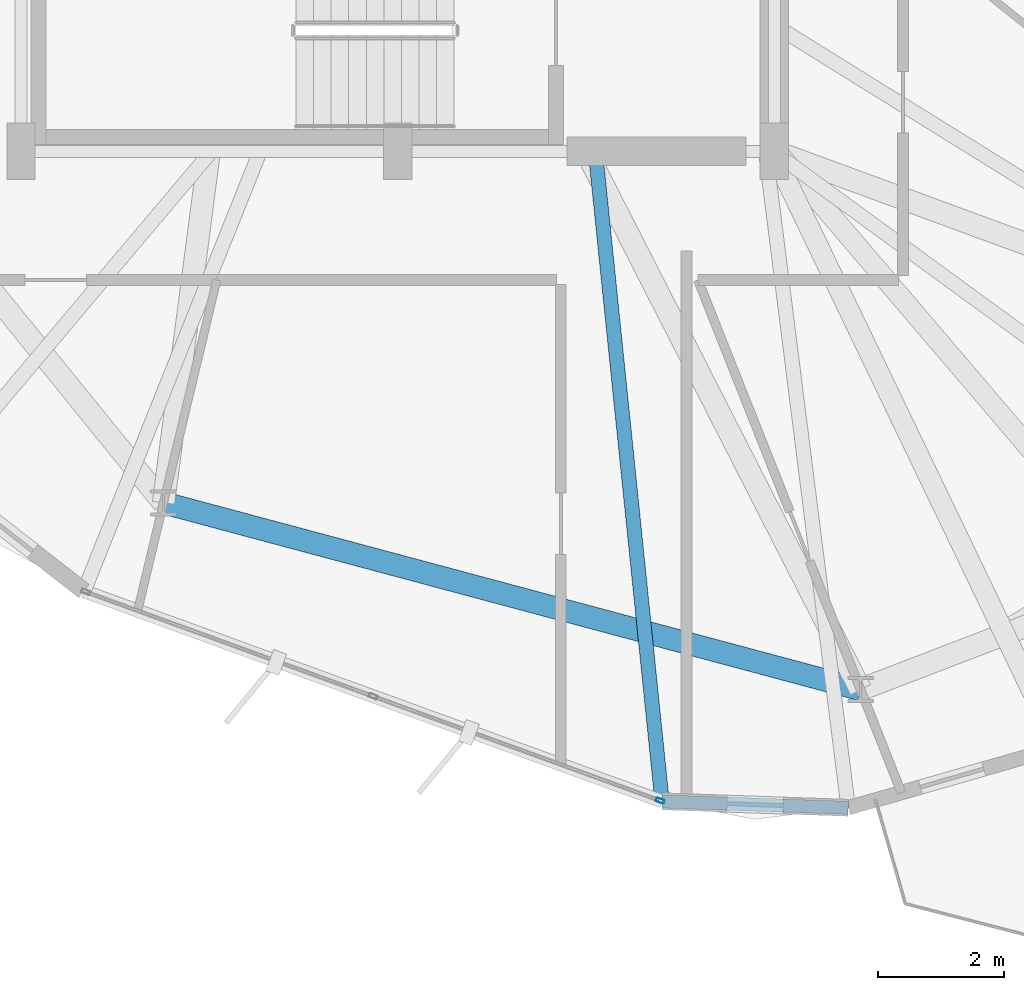
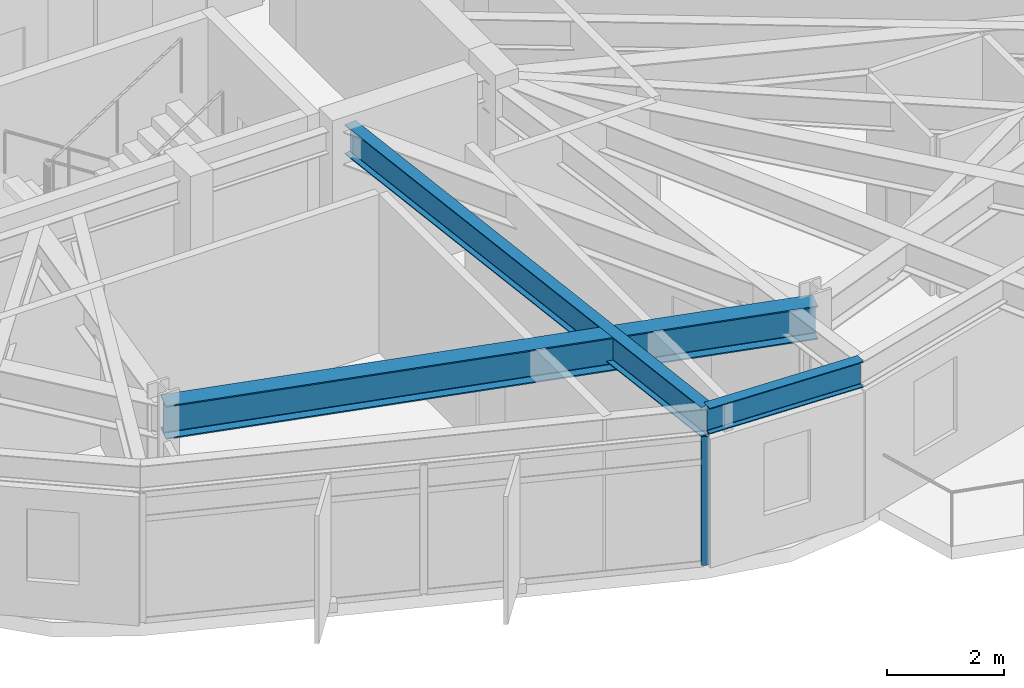
# One storey, part 5 of 30: 3 beams, 1 member, 1 element without a shape of its own.
"""IFC4 building model written with IfcOpenShell, lengths in metres."""

from ifc_helpers import new_model, si_unit, direction, frame, origin, origin_2d, place, context, subcontext, project, spatial, hollow_rectangle, i_section, extrude, material, layer, layer_set, material_profile, profile_set, type_object, element, aggregate, save


model = new_model("IFC4")

# Units and contexts
model_context = context("Model", 3, precision=1e-05, world=origin(), true_north=direction((0.0, 1.0)))
body_context = subcontext(model_context, "Body", "Model", "MODEL_VIEW")
ifc_project = project(units=[si_unit("LENGTHUNIT", "METRE"), si_unit("AREAUNIT", "SQUARE_METRE"), si_unit("VOLUMEUNIT", "CUBIC_METRE"), si_unit("PLANEANGLEUNIT", "RADIAN"), si_unit("MASSUNIT", "GRAM", prefix="KILO")], contexts=[model_context])

# Site, building, storey
site_placement = place(None, origin())
site = spatial("IfcSite", under=ifc_project, at=site_placement, CompositionType="ELEMENT")
building_placement = place(site_placement, origin())
building = spatial("IfcBuilding", under=site, at=building_placement, Name="Soratama Intermodal Tower", CompositionType="ELEMENT")
storey_placement = place(building_placement, frame((0.0, 0.0, 223.0)))
storey = spatial("IfcBuildingStorey", under=building, at=storey_placement, Name="L56", CompositionType="ELEMENT", Elevation=223.0)

# Beams
ifc_material_1 = material(Name="Structural steel ASTM A992 Grade 50", Category="steel")
ifc_material_profile_1 = material_profile(ifc_material_1, i_section(OverallWidth=0.35498046875, OverallDepth=0.695068359375, WebThickness=0.015380859375, FlangeThickness=0.02490234375, FilletRadius=0.01611328125, at=origin_2d()), Name="W27X146")
ifc_profile_set_1 = profile_set([ifc_material_profile_1], Name="Structural steel ASTM A992 Grade 50")
beam_type_1 = type_object("IfcBeamType", Name="BM-RING-W27X146", PredefinedType="BEAM", material=ifc_profile_set_1)
beam_1_placement = place(storey_placement, frame((34.8701171875, 9.40087890625, 2.952392578125), z_axis=(0.965928616227, -0.258808632687, 0.0), x_axis=(0.258808632687, 0.965928616227, 0.0)))
element("IfcBeam", 1, at=beam_1_placement, inside=storey, type_object=beam_type_1, Name="BM-L56-RING-07", PredefinedType="BEAM", context=body_context, shape_type="SweptSolid", body=[
    extrude(i_section(OverallWidth=0.35498046875, OverallDepth=0.695068359375, WebThickness=0.015380859375, FlangeThickness=0.02490234375, FilletRadius=0.01611328125, at=origin_2d()), origin(), (0.0, 0.0, 1.0), 11.494384765625),
])
ifc_material_2 = material(Name="Structural steel ASTM A992 Grade 50", Category="steel")
ifc_material_profile_2 = material_profile(ifc_material_2, i_section(OverallWidth=0.2099609375, OverallDepth=0.537109375, WebThickness=0.010986328125, FlangeThickness=0.017333984375, FilletRadius=0.012939453125, at=origin_2d()), Name="W21X68")
ifc_profile_set_2 = profile_set([ifc_material_profile_2], Name="Structural steel ASTM A992 Grade 50")
beam_type_2 = type_object("IfcBeamType", Name="BM-SPN-W21X68", PredefinedType="SPANDREL", material=ifc_profile_set_2)
beam_2_placement = place(storey_placement, frame((42.81201171875, 4.64501953125, 3.031494140625), z_axis=(0.999408245046, -0.034397089043, 0.0), x_axis=(0.034397089043, 0.999408245046, 0.0)))
element("IfcBeam", 2, at=beam_2_placement, inside=storey, type_object=beam_type_2, Name="BS-L56-CRN06", PredefinedType="SPANDREL", context=body_context, shape_type="SweptSolid", body=[
    extrude(i_section(OverallWidth=0.2099609375, OverallDepth=0.537109375, WebThickness=0.010986328125, FlangeThickness=0.017333984375, FilletRadius=0.012939453125, at=origin_2d()), origin(), (0.0, 0.0, 1.0), 2.966796875),
])
ifc_material_3 = material(Name="Structural steel ASTM A992 Grade 50", Category="steel")
ifc_material_profile_3 = material_profile(ifc_material_3, i_section(OverallWidth=0.22900390625, OverallDepth=0.612060546875, WebThickness=0.011962890625, FlangeThickness=0.01953125, FilletRadius=0.012939453125, at=origin_2d()), Name="W24X84")
ifc_profile_set_3 = profile_set([ifc_material_profile_3], Name="Structural steel ASTM A992 Grade 50")
beam_type_3 = type_object("IfcBeamType", Name="BM-TIE-W24X84", PredefinedType="BEAM", material=ifc_profile_set_3)
beam_3_placement = place(storey_placement, frame((41.7529296875, 14.9599609375, 2.993896484375), z_axis=(0.102137597099, -0.994770280647, 0.0), x_axis=(0.994770280647, 0.102137597099, 0.0)))
element("IfcBeam", 3, at=beam_3_placement, inside=storey, type_object=beam_type_3, Name="BM-L56-TIE1-06", PredefinedType="BEAM", context=body_context, shape_type="SweptSolid", body=[
    extrude(i_section(OverallWidth=0.22900390625, OverallDepth=0.612060546875, WebThickness=0.011962890625, FlangeThickness=0.01953125, FilletRadius=0.012939453125, at=origin_2d()), origin(), (0.0, 0.0, 1.0), 10.369140625),
])

# Curtain wall, member
ifc_material_4 = material(Name="Double-glazed aluminium curtain wall", Category="aluminium")
ifc_layer = layer(ifc_material_4, 0.159912109375)
ifc_layer_set = layer_set([ifc_layer], Name="Double-glazed aluminium curtain wall")
curtain_wall_type = type_object("IfcCurtainWallType", Name="CW-SYS-5", PredefinedType="NOTDEFINED", material=ifc_layer_set)
curtain_wall_placement = place(storey_placement, origin())
curtain_wall = element("IfcCurtainWall", 4, at=curtain_wall_placement, inside=storey, type_object=curtain_wall_type, Name="L56 Faceted Curtain Wall F06", PredefinedType="NOTDEFINED")
ifc_material_5 = material(Name="Anodised aluminium AA 6063-T6", Category="aluminium")
ifc_material_profile_4 = material_profile(ifc_material_5, hollow_rectangle(XDim=0.06494140625, YDim=0.139892578125, WallThickness=0.0048828125, InnerFilletRadius=0.0048828125, OuterFilletRadius=0.010009765625, at=origin_2d()), Name="CWM140X65X5")
ifc_profile_set_4 = profile_set([ifc_material_profile_4], Name="Anodised aluminium AA 6063-T6")
member_type = type_object("IfcMemberType", Name="MT-CWM-5", PredefinedType="MULLION", material=ifc_profile_set_4)
member_placement = place(storey_placement, frame((42.783935546875, 4.65576171875, 0.0), z_axis=(0.0, 0.0, 1.0), x_axis=(0.34169553132, 0.939810706406, 0.0)))
member = element("IfcMember", 5, at=member_placement, type_object=member_type, Name="CW-5 mullion 3", PredefinedType="MULLION", context=body_context, shape_type="SweptSolid", body=[
    extrude(hollow_rectangle(XDim=0.06494140625, YDim=0.139892578125, WallThickness=0.0048828125, InnerFilletRadius=0.0048828125, OuterFilletRadius=0.010009765625, at=origin_2d()), origin(), (0.0, 0.0, 1.0), 2.678955078125),
])
aggregate(curtain_wall, [member])

save(model, "model.ifc")
